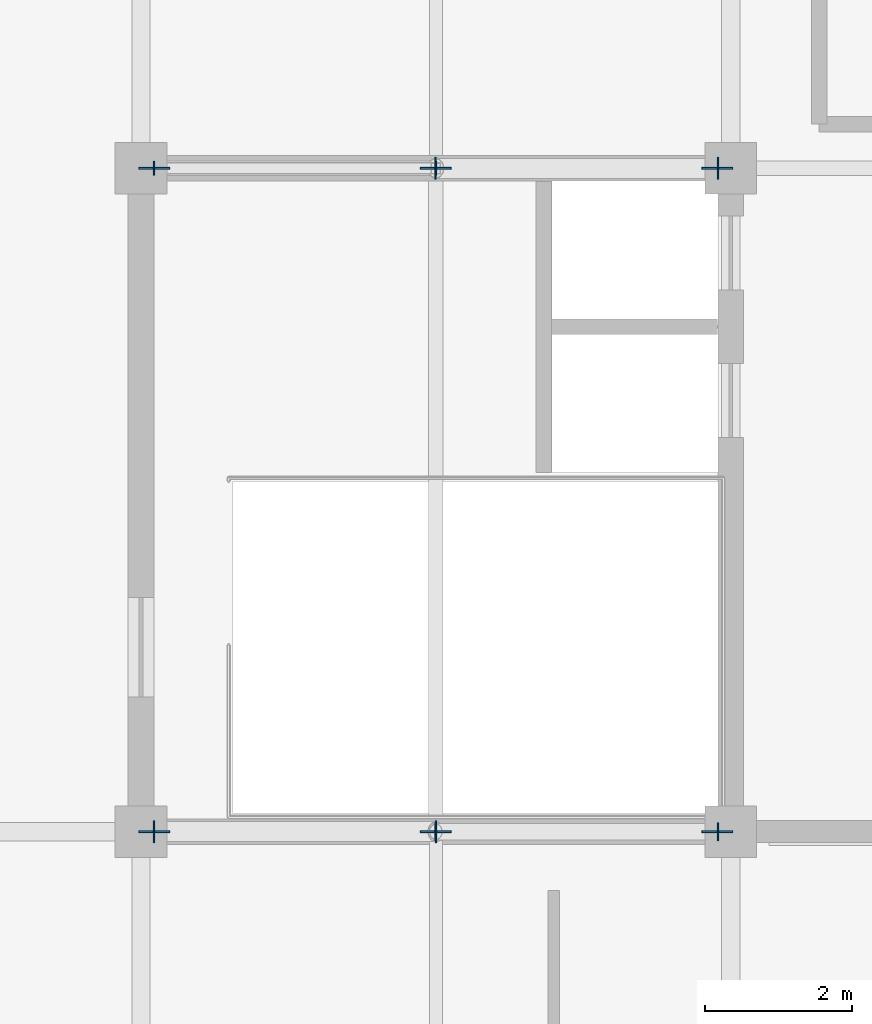
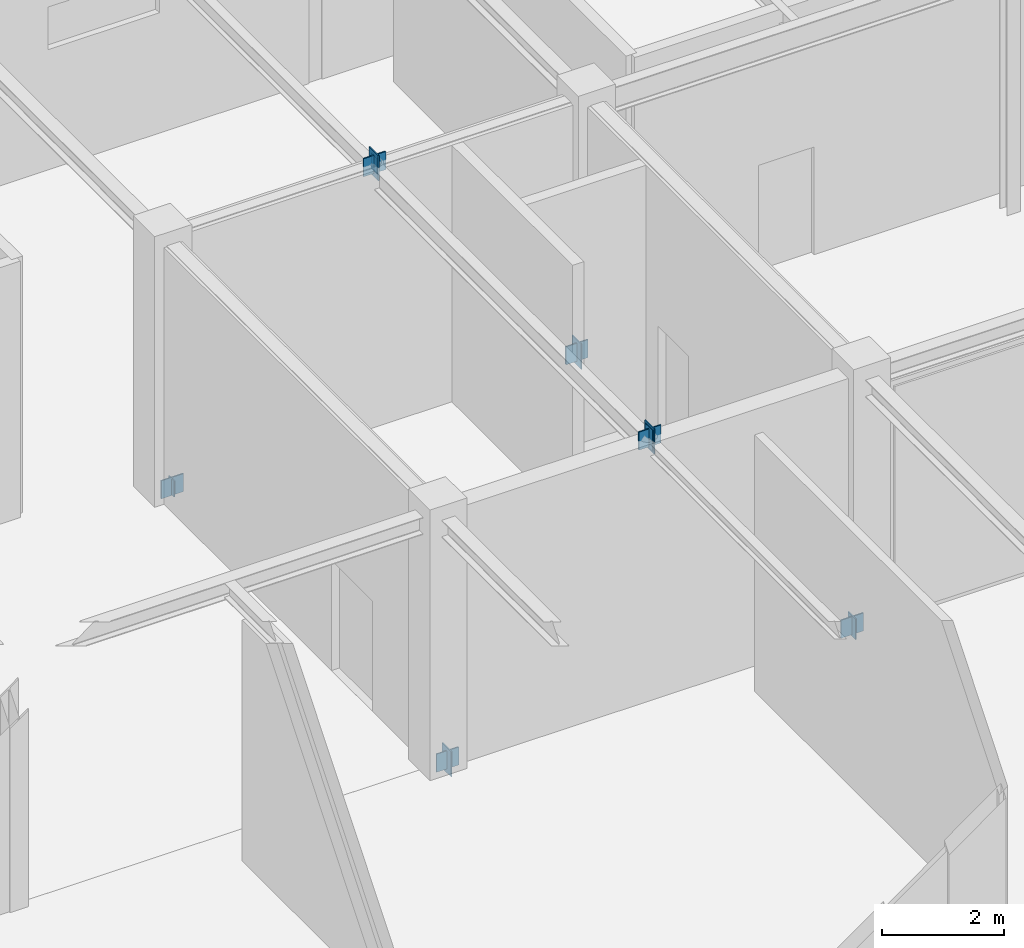
# One storey, part 82 of 108: 14 plates.
"""IFC4 building model written with IfcOpenShell, lengths in metres."""

from ifc_helpers import new_model, si_unit, direction, frame, origin, origin_2d, place, context, subcontext, project, spatial, rectangle, extrude, material, layer, layer_set, type_object, element, save


model = new_model("IFC4")

# Units and contexts
model_context = context("Model", 3, precision=1e-05, world=origin(), true_north=direction((0.0, 1.0)))
body_context = subcontext(model_context, "Body", "Model", "MODEL_VIEW")
ifc_project = project(units=[si_unit("LENGTHUNIT", "METRE"), si_unit("AREAUNIT", "SQUARE_METRE"), si_unit("VOLUMEUNIT", "CUBIC_METRE"), si_unit("PLANEANGLEUNIT", "RADIAN"), si_unit("MASSUNIT", "GRAM", prefix="KILO")], contexts=[model_context])

# Site, building, storey
site_placement = place(None, origin())
site = spatial("IfcSite", under=ifc_project, at=site_placement, CompositionType="ELEMENT")
building_placement = place(site_placement, origin())
building = spatial("IfcBuilding", under=site, at=building_placement, Name="Zhaolan Boulevard Law Courts", CompositionType="ELEMENT")
storey_placement = place(building_placement, frame((0.0, 0.0, 10.800048828125)))
storey = spatial("IfcBuildingStorey", under=building, at=storey_placement, Name="L02", CompositionType="ELEMENT", Elevation=10.800048828125)

# Plates
ifc_material_1 = material(Name="Structural steel Q355B", Category="steel")
ifc_layer_1 = layer(ifc_material_1, 0.02392578125)
ifc_layer_set_1 = layer_set([ifc_layer_1])
plate_type_1 = type_object("IfcPlateType", Name="BRACE GUSSET PLATE 24", PredefinedType="SHEET", material=ifc_layer_set_1)
for number, where, z_axis, x_axis, name in (
    (1, (76.179931640625, 103.0, -0.14990234375), (0.0, 0.0, 1.0), (1.0, 0.0, 0.0), "Brace Gusset Connection Plate GP-C1-L02-NA1"),
    (2, (83.820068359375, 103.0, -0.14990234375), (0.0, 0.0, 1.0), (1.0, 0.0, 0.0), "Brace Gusset Connection Plate GP-C1-L02-NA2"),
    (3, (80.0, 103.0, 4.93994140625), (0.0, 0.0, 1.0), (1.0, 0.0, 0.0), "Brace Gusset Connection Plate GP-C1-L02-NAPX"),
    (4, (76.179931640625, 94.0, -0.14990234375), (0.0, 0.0, 1.0), (1.0, 0.0, 0.0), "Brace Gusset Connection Plate GP-C1-L02-SA1"),
    (5, (83.820068359375, 94.0, -0.14990234375), (0.0, 0.0, 1.0), (1.0, 0.0, 0.0), "Brace Gusset Connection Plate GP-C1-L02-SA2"),
    (6, (80.0, 94.0, 4.93994140625), (0.0, 0.0, 1.0), (1.0, 0.0, 0.0), "Brace Gusset Connection Plate GP-C1-L02-SAPX"),
):
    element("IfcPlate", number, at=place(storey_placement, frame(where, z_axis=z_axis, x_axis=x_axis)), inside=storey, type_object=plate_type_1, Name=name, PredefinedType="SHEET", context=body_context, shape_type="SweptSolid", body=[
        extrude(rectangle(XDim=0.419921875, YDim=0.02392578125, at=origin_2d()), origin(), (0.0, 0.0, 1.0), 0.360107421875),
    ])
ifc_material_2 = material(Name="Structural steel Q355B", Category="steel")
ifc_layer_2 = layer(ifc_material_2, 0.02001953125)
ifc_layer_set_2 = layer_set([ifc_layer_2])
plate_type_2 = type_object("IfcPlateType", Name="END CAP PLATE 20", PredefinedType="SHEET", material=ifc_layer_set_2)
for number, where, z_axis, x_axis, name in (
    (7, (76.17529296875, 103.0, -0.135009765625), (0.0, 0.0, 1.0), (1.0, 0.0, 0.0), "Hollow Section End-Cap Plate ECP-1407"),
    (8, (80.0048828125, 103.0, 4.968017578125), (0.0, 0.0, 1.0), (1.0, 0.0, 0.0), "Hollow Section End-Cap Plate ECP-1408"),
):
    element("IfcPlate", number, at=place(storey_placement, frame(where, z_axis=z_axis, x_axis=x_axis)), inside=storey, type_object=plate_type_2, Name=name, PredefinedType="SHEET", context=body_context, shape_type="SweptSolid", body=[
        extrude(rectangle(XDim=0.02001953125, YDim=0.18994140625, at=origin_2d()), origin(), (0.0, 0.0, 1.0), 0.31689453125),
    ])
for number, where, z_axis, x_axis, name in (
    (9, (83.82470703125, 103.0, -0.22900390625), (0.0, 0.0, 1.0), (-1.0, 0.0, 0.0), "Hollow Section End-Cap Plate ECP-1409"),
    (10, (79.9951171875, 103.0, 4.8740234375), (0.0, 0.0, 1.0), (-1.0, 0.0, 0.0), "Hollow Section End-Cap Plate ECP-1410"),
    (11, (76.17529296875, 94.0, -0.22900390625), (0.0, 0.0, 1.0), (1.0, 0.0, 0.0), "Hollow Section End-Cap Plate ECP-1411"),
    (12, (80.0048828125, 94.0, 4.8740234375), (0.0, 0.0, 1.0), (1.0, 0.0, 0.0), "Hollow Section End-Cap Plate ECP-1412"),
):
    element("IfcPlate", number, at=place(storey_placement, frame(where, z_axis=z_axis, x_axis=x_axis)), inside=storey, type_object=plate_type_2, Name=name, PredefinedType="SHEET", context=body_context, shape_type="SweptSolid", body=[
        extrude(rectangle(XDim=0.02001953125, YDim=0.302978515625, at=origin_2d()), origin(), (0.0, 0.0, 1.0), 0.5048828125),
    ])
for number, where, z_axis, x_axis, name in (
    (13, (83.82470703125, 94.0, -0.18408203125), (0.0, 0.0, 1.0), (-1.0, 0.0, 0.0), "Hollow Section End-Cap Plate ECP-1413"),
    (14, (79.9951171875, 94.0, 4.9189453125), (0.0, 0.0, 1.0), (-1.0, 0.0, 0.0), "Hollow Section End-Cap Plate ECP-1414"),
):
    element("IfcPlate", number, at=place(storey_placement, frame(where, z_axis=z_axis, x_axis=x_axis)), inside=storey, type_object=plate_type_2, Name=name, PredefinedType="SHEET", context=body_context, shape_type="SweptSolid", body=[
        extrude(rectangle(XDim=0.02001953125, YDim=0.2490234375, at=origin_2d()), origin(), (0.0, 0.0, 1.0), 0.4150390625),
    ])

save(model, "model.ifc")
